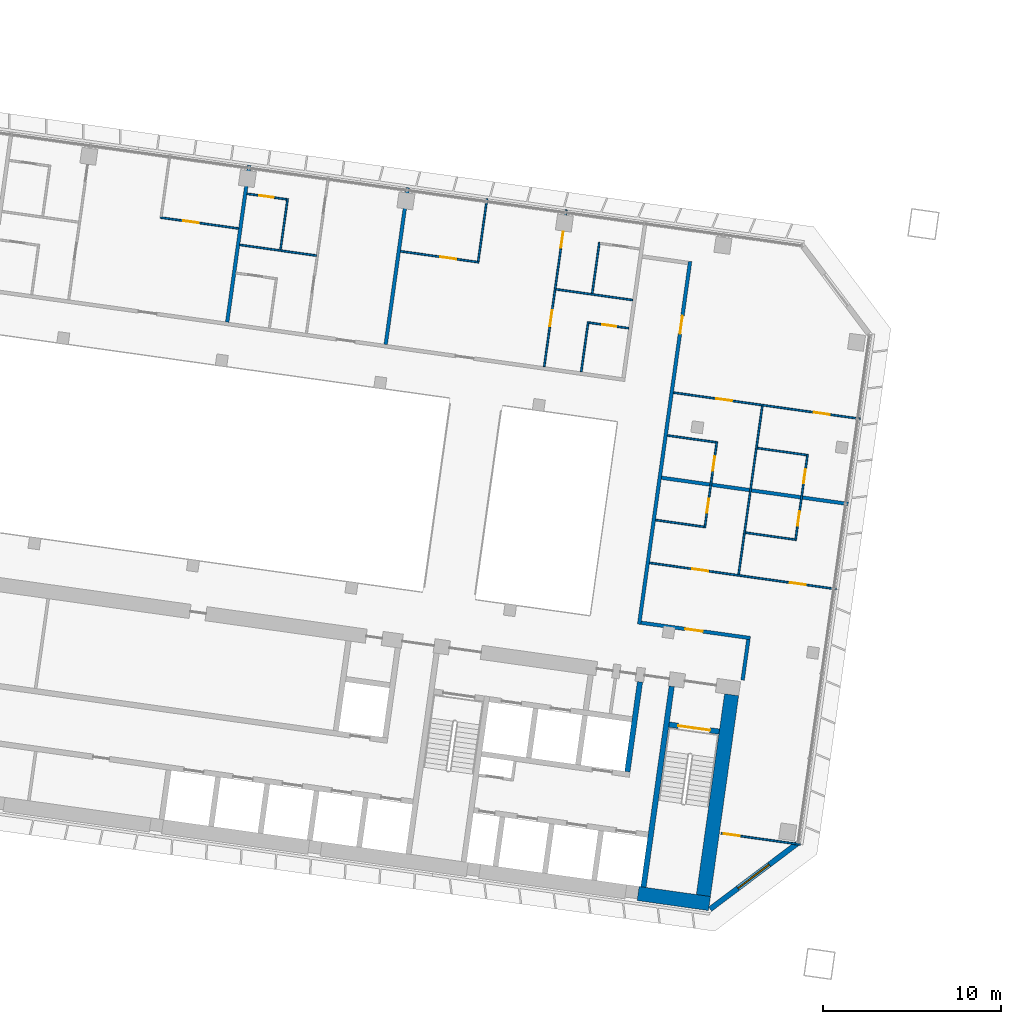
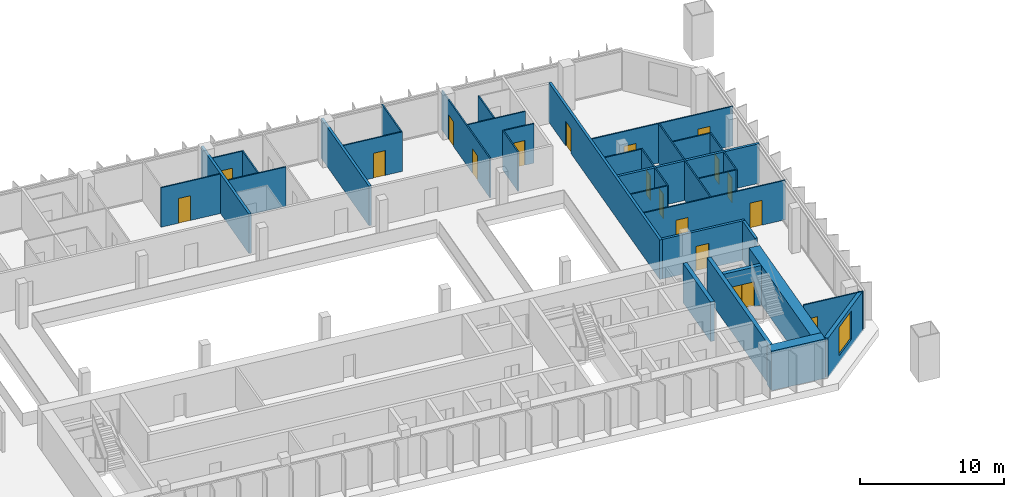
# One storey, part 17 of 27: 33 walls, 18 doors, 1 window, 19 openings.
"""IFC4 building model written with IfcOpenShell, lengths in metres."""

from ifc_helpers import new_model, si_unit, direction, frame, frame_2d, origin, place, context, subcontext, project, spatial, rectangle, extrude, material, layer, layer_set, type_object, element, fill, save


model = new_model("IFC4")

# Units and contexts
model_context = context("Model", 3, precision=1e-05, world=origin(), true_north=direction((0.0, 1.0)))
body_context = subcontext(model_context, "Body", "Model", "MODEL_VIEW")
ifc_project = project(units=[si_unit("LENGTHUNIT", "METRE"), si_unit("AREAUNIT", "SQUARE_METRE"), si_unit("VOLUMEUNIT", "CUBIC_METRE"), si_unit("PLANEANGLEUNIT", "RADIAN"), si_unit("MASSUNIT", "GRAM", prefix="KILO")], contexts=[model_context])

# Site, building, storey
site_placement = place(None, origin())
site = spatial("IfcSite", under=ifc_project, at=site_placement, CompositionType="ELEMENT")
building_placement = place(site_placement, origin())
building = spatial("IfcBuilding", under=site, at=building_placement, Name="Mirante Cascada Hotel Towers", CompositionType="ELEMENT")
storey_placement = place(building_placement, frame((0.0, 0.0, 117.7)))
storey = spatial("IfcBuildingStorey", under=building, at=storey_placement, Name="L26", CompositionType="ELEMENT", Elevation=117.7)

# Wall, opening, door
ifc_material_1 = material(Name="Fire-rated plasterboard on metal studs")
ifc_layer_1 = layer(ifc_material_1, 0.2)
ifc_layer_set_1 = layer_set([ifc_layer_1], Name="Compartment wall 200 EI 120")
wall_type_1 = type_object("IfcWallType", Name="Compartment wall 200 EI 120", PredefinedType="PARTITIONING", material=ifc_layer_set_1)
wall_1_placement = place(storey_placement, frame((-40.97, -3.8917, 0.0), z_axis=(0.0, 0.0, 1.0), x_axis=(0.9902695, -0.1391629, 0.0)))
wall_1 = element("IfcWall", 1, at=wall_1_placement, inside=storey, type_object=wall_type_1, Name="Wall 1-L26-02", PredefinedType="PARTITIONING", context=body_context, shape_type="SweptSolid", body=[
    extrude(rectangle(XDim=6.1999, YDim=0.2, at=frame_2d((3.1, 0.0))), origin(), (0.0, 0.0, 1.0), 3.35),
])
opening_1_placement = place(wall_1_placement, frame((2.5, 0.0, 0.0)))
opening_1 = element("IfcOpeningElement", 2, at=opening_1_placement, cuts=wall_1, Name="Opening D1-L26-02", PredefinedType="OPENING", context=body_context, shape_type="SweptSolid", body=[
    extrude(rectangle(XDim=1.0, YDim=2.1, at=frame_2d((0.5, 1.05))), frame((0.0, 0.1, 0.0), z_axis=(0.0, -1.0, 0.0), x_axis=(1.0, 0.0, 0.0)), (0.0, 0.0, 1.0), 0.2),
])
ifc_material_2 = material(Name="Fire-rated timber door leaf", Category="wood")
door_type_1 = type_object("IfcDoorType", Name="Entrance door DG1 1000x2100 EI 60", OperationType="SINGLE_SWING_LEFT", PredefinedType="DOOR", material=ifc_material_2)
door_1_placement = place(opening_1_placement, frame((1.0, 0.0, 0.0), z_axis=(0.0, 0.0, 1.0), x_axis=(-1.0, 0.0, 0.0)))
door_1 = element("IfcDoor", 3, at=door_1_placement, inside=storey, type_object=door_type_1, Name="Door D1-L26-02", OperationType="SINGLE_SWING_RIGHT", OverallHeight=2.1, OverallWidth=1.0, PredefinedType="DOOR", context=body_context, shape_type="SweptSolid", body=[
    extrude(rectangle(XDim=1.0, YDim=2.1, at=frame_2d((0.5, 1.05))), frame((0.0, 0.025, 0.0), z_axis=(0.0, -1.0, 0.0), x_axis=(1.0, 0.0, 0.0)), (0.0, 0.0, 1.0), 0.05),
])
fill(opening_1, door_1)

# Walls
wall_2_placement = place(storey_placement, frame((-39.8242, 4.2615, 0.0), z_axis=(0.0, 0.0, 1.0), x_axis=(0.9902686, -0.1391691, 0.0)))
element("IfcWall", 4, at=wall_2_placement, inside=storey, type_object=wall_type_1, Name="Wall 1-L26-08", PredefinedType="PARTITIONING", context=body_context, shape_type="SweptSolid", body=[
    extrude(rectangle(XDim=10.6001, YDim=0.2, at=frame_2d((5.3, 0.0))), origin(), (0.0, 0.0, 1.0), 3.35),
])
wall_3_placement = place(storey_placement, frame((-35.2634, -7.1173, 0.0), z_axis=(0.0, 0.0, 1.0), x_axis=(0.1391749, 0.9902678, 0.0)))
element("IfcWall", 5, at=wall_3_placement, inside=storey, type_object=wall_type_1, Name="Wall 1-L26-33", PredefinedType="PARTITIONING", context=body_context, shape_type="SweptSolid", body=[
    extrude(rectangle(XDim=2.3, YDim=0.2, at=frame_2d((1.15, 0.0))), origin(), (0.0, 0.0, 1.0), 3.35),
])

# Wall, opening, door
wall_4_placement = place(storey_placement, frame((-38.216, 16.4227, 0.0), z_axis=(0.0, 0.0, 1.0), x_axis=(-0.1391749, -0.9902678, 0.0)))
wall_4 = element("IfcWall", 6, at=wall_4_placement, inside=storey, type_object=wall_type_1, Name="Wall 1-L26-36", PredefinedType="PARTITIONING", context=body_context, shape_type="SweptSolid", body=[
    extrude(rectangle(XDim=20.6, YDim=0.2, at=frame_2d((10.3, 0.0))), origin(), (0.0, 0.0, 1.0), 3.35),
])
opening_2_placement = place(wall_4_placement, frame((3.1, 0.0, 0.0)))
opening_2 = element("IfcOpeningElement", 7, at=opening_2_placement, cuts=wall_4, Name="Opening D1-L26-27", PredefinedType="OPENING", context=body_context, shape_type="SweptSolid", body=[
    extrude(rectangle(XDim=1.0, YDim=2.1, at=frame_2d((0.5, 1.05))), frame((0.0, 0.1, 0.0), z_axis=(0.0, -1.0, 0.0), x_axis=(1.0, 0.0, 0.0)), (0.0, 0.0, 1.0), 0.2),
])
door_2_placement = place(opening_2_placement, origin())
door_2 = element("IfcDoor", 8, at=door_2_placement, inside=storey, type_object=door_type_1, Name="Door D1-L26-27", OperationType="SINGLE_SWING_LEFT", OverallHeight=2.1, OverallWidth=1.0, PredefinedType="DOOR", context=body_context, shape_type="SweptSolid", body=[
    extrude(rectangle(XDim=1.0, YDim=2.1, at=frame_2d((0.5, 1.05))), frame((0.0, 0.025, 0.0), z_axis=(0.0, -1.0, 0.0), x_axis=(1.0, 0.0, 0.0)), (0.0, 0.0, 1.0), 0.05),
])
fill(opening_2, door_2)

# Walls
for number, where, z_axis, x_axis, name in (
    (9, (-54.0929, 20.5728, 0.0), (0.0, 0.0, 1.0), (-0.1391794, -0.9902672, 0.0), "Wall 1-L26-42"),
    (10, (-63.0054, 21.8253, 0.0), (0.0, 0.0, 1.0), (-0.1391684, -0.9902687, 0.0), "Wall 1-L26-46"),
):
    element("IfcWall", number, at=place(storey_placement, frame(where, z_axis=z_axis, x_axis=x_axis)), inside=storey, type_object=wall_type_1, Name=name, PredefinedType="PARTITIONING", context=body_context, shape_type="SweptSolid", body=[
        extrude(rectangle(XDim=8.9, YDim=0.2, at=frame_2d((4.45, 0.0))), origin(), (0.0, 0.0, 1.0), 3.35),
    ])

# Wall, opening, door
ifc_material_3 = material(Name="Plasterboard on metal studs")
ifc_layer_2 = layer(ifc_material_3, 0.1)
ifc_layer_set_2 = layer_set([ifc_layer_2], Name="Partition 100")
wall_type_2 = type_object("IfcWallType", Name="Partition 100", PredefinedType="PARTITIONING", material=ifc_layer_set_2)
wall_5_placement = place(storey_placement, frame((-32.018, -16.3589, 0.0), z_axis=(0.0, 0.0, 1.0), x_axis=(-0.9902674, 0.1391779, 0.0)))
wall_5 = element("IfcWall", 11, at=wall_5_placement, inside=storey, type_object=wall_type_2, Name="Wall 1-L26-01", PredefinedType="PARTITIONING", context=body_context, shape_type="SweptSolid", body=[
    extrude(rectangle(XDim=4.5, YDim=0.1, at=frame_2d((2.25, 0.0))), origin(), (0.0, 0.0, 1.0), 3.35),
])
opening_3_placement = place(wall_5_placement, frame((3.45, 0.0, 0.0)))
opening_3 = element("IfcOpeningElement", 12, at=opening_3_placement, cuts=wall_5, Name="Opening D1-L26-01", PredefinedType="OPENING", context=body_context, shape_type="SweptSolid", body=[
    extrude(rectangle(XDim=0.9, YDim=2.1, at=frame_2d((0.45, 1.05))), frame((0.0, 0.05, 0.0), z_axis=(0.0, -1.0, 0.0), x_axis=(1.0, 0.0, 0.0)), (0.0, 0.0, 1.0), 0.1),
])
ifc_material_4 = material(Name="Timber door leaf", Category="wood")
door_type_2 = type_object("IfcDoorType", Name="Room door DG3 900x2100", OperationType="SINGLE_SWING_LEFT", PredefinedType="DOOR", material=ifc_material_4)
door_3_placement = place(opening_3_placement, frame((0.9, 0.0, 0.0), z_axis=(0.0, 0.0, 1.0), x_axis=(-1.0, 0.0, 0.0)))
door_3 = element("IfcDoor", 13, at=door_3_placement, inside=storey, type_object=door_type_2, Name="Door D1-L26-01", OperationType="SINGLE_SWING_RIGHT", OverallHeight=2.1, OverallWidth=0.9, PredefinedType="DOOR", context=body_context, shape_type="SweptSolid", body=[
    extrude(rectangle(XDim=0.9, YDim=2.1, at=frame_2d((0.45, 1.05))), frame((0.0, 0.025, 0.0), z_axis=(0.0, -1.0, 0.0), x_axis=(1.0, 0.0, 0.0)), (0.0, 0.0, 1.0), 0.05),
])
fill(opening_3, door_3)

# Wall, openings, doors
wall_6_placement = place(storey_placement, frame((-30.0, -2.0, 0.0), z_axis=(0.0, 0.0, 1.0), x_axis=(-0.9902684, 0.1391704, 0.0)))
wall_6 = element("IfcWall", 14, at=wall_6_placement, inside=storey, type_object=wall_type_2, Name="Wall 1-L26-03", PredefinedType="PARTITIONING", context=body_context, shape_type="SweptSolid", body=[
    extrude(rectangle(XDim=10.6, YDim=0.1, at=frame_2d((5.3, 0.0))), origin(), (0.0, 0.0, 1.0), 3.35),
])
opening_4_placement = place(wall_6_placement, frame((1.725, 0.0, 0.0)))
opening_4 = element("IfcOpeningElement", 15, at=opening_4_placement, cuts=wall_6, Name="Opening D1-L26-03", PredefinedType="OPENING", context=body_context, shape_type="SweptSolid", body=[
    extrude(rectangle(XDim=0.9, YDim=2.1, at=frame_2d((0.45, 1.05))), frame((0.0, 0.05, 0.0), z_axis=(0.0, -1.0, 0.0), x_axis=(1.0, 0.0, 0.0)), (0.0, 0.0, 1.0), 0.1),
])
opening_5_placement = place(wall_6_placement, frame((7.275, 0.0, 0.0)))
opening_5 = element("IfcOpeningElement", 16, at=opening_5_placement, cuts=wall_6, Name="Opening D1-L26-04", PredefinedType="OPENING", context=body_context, shape_type="SweptSolid", body=[
    extrude(rectangle(XDim=0.9, YDim=2.1, at=frame_2d((0.45, 1.05))), frame((0.0, 0.05, 0.0), z_axis=(0.0, -1.0, 0.0), x_axis=(1.0, 0.0, 0.0)), (0.0, 0.0, 1.0), 0.1),
])
door_4_placement = place(opening_4_placement, origin())
door_4 = element("IfcDoor", 17, at=door_4_placement, inside=storey, type_object=door_type_2, Name="Door D1-L26-03", OperationType="SINGLE_SWING_LEFT", OverallHeight=2.1, OverallWidth=0.9, PredefinedType="DOOR", context=body_context, shape_type="SweptSolid", body=[
    extrude(rectangle(XDim=0.9, YDim=2.1, at=frame_2d((0.45, 1.05))), frame((0.0, 0.025, 0.0), z_axis=(0.0, -1.0, 0.0), x_axis=(1.0, 0.0, 0.0)), (0.0, 0.0, 1.0), 0.05),
])
fill(opening_4, door_4)
door_5_placement = place(opening_5_placement, origin())
door_5 = element("IfcDoor", 18, at=door_5_placement, inside=storey, type_object=door_type_2, Name="Door D1-L26-04", OperationType="SINGLE_SWING_LEFT", OverallHeight=2.1, OverallWidth=0.9, PredefinedType="DOOR", context=body_context, shape_type="SweptSolid", body=[
    extrude(rectangle(XDim=0.9, YDim=2.1, at=frame_2d((0.45, 1.05))), frame((0.0, 0.025, 0.0), z_axis=(0.0, -1.0, 0.0), x_axis=(1.0, 0.0, 0.0)), (0.0, 0.0, 1.0), 0.05),
])
fill(opening_5, door_5)

# Walls
wall_7_placement = place(storey_placement, frame((-35.1078, 1.1751, 0.0), z_axis=(0.0, 0.0, 1.0), x_axis=(0.990267, -0.139181, 0.0)))
element("IfcWall", 19, at=wall_7_placement, inside=storey, type_object=wall_type_2, Name="Wall 1-L26-06", PredefinedType="PARTITIONING", context=body_context, shape_type="SweptSolid", body=[
    extrude(rectangle(XDim=2.8, YDim=0.1, at=frame_2d((1.4, 0.0))), origin(), (0.0, 0.0, 1.0), 3.35),
])
wall_8_placement = place(storey_placement, frame((-37.435, 1.5021, 0.0), z_axis=(0.0, 0.0, 1.0), x_axis=(-0.9902641, 0.1392013, 0.0)))
element("IfcWall", 20, at=wall_8_placement, inside=storey, type_object=wall_type_2, Name="Wall 1-L26-07", PredefinedType="PARTITIONING", context=body_context, shape_type="SweptSolid", body=[
    extrude(rectangle(XDim=2.75, YDim=0.1, at=frame_2d((1.375, 0.0))), origin(), (0.0, 0.0, 1.0), 3.35),
])
wall_9_placement = place(storey_placement, frame((-34.4398, 5.9284, 0.0), z_axis=(0.0, 0.0, 1.0), x_axis=(0.9902677, -0.139176, 0.0)))
element("IfcWall", 21, at=wall_9_placement, inside=storey, type_object=wall_type_2, Name="Wall 1-L26-10", PredefinedType="PARTITIONING", context=body_context, shape_type="SweptSolid", body=[
    extrude(rectangle(XDim=2.8001, YDim=0.1, at=frame_2d((1.4, 0.0))), origin(), (0.0, 0.0, 1.0), 3.35),
])
wall_10_placement = place(storey_placement, frame((-36.7669, 6.2554, 0.0), z_axis=(0.0, 0.0, 1.0), x_axis=(-0.9902698, 0.1391607, 0.0)))
element("IfcWall", 22, at=wall_10_placement, inside=storey, type_object=wall_type_2, Name="Wall 1-L26-11", PredefinedType="PARTITIONING", context=body_context, shape_type="SweptSolid", body=[
    extrude(rectangle(XDim=2.7501, YDim=0.1, at=frame_2d((1.3751, 0.0))), origin(), (0.0, 0.0, 1.0), 3.35),
])

# Wall, openings, doors
wall_11_placement = place(storey_placement, frame((-39.1515, 9.0479, 0.0), z_axis=(0.0, 0.0, 1.0), x_axis=(0.9902671, -0.1391797, 0.0)))
wall_11 = element("IfcWall", 23, at=wall_11_placement, inside=storey, type_object=wall_type_2, Name="Wall 1-L26-14", PredefinedType="PARTITIONING", context=body_context, shape_type="SweptSolid", body=[
    extrude(rectangle(XDim=10.6, YDim=0.1, at=frame_2d((5.3, 0.0))), origin(), (0.0, 0.0, 1.0), 3.35),
])
opening_6_placement = place(wall_11_placement, frame((7.975, 0.0, 0.0)))
opening_6 = element("IfcOpeningElement", 24, at=opening_6_placement, cuts=wall_11, Name="Opening D1-L26-05", PredefinedType="OPENING", context=body_context, shape_type="SweptSolid", body=[
    extrude(rectangle(XDim=0.9, YDim=2.1, at=frame_2d((0.45, 1.05))), frame((0.0, 0.05, 0.0), z_axis=(0.0, -1.0, 0.0), x_axis=(1.0, 0.0, 0.0)), (0.0, 0.0, 1.0), 0.1),
])
opening_7_placement = place(wall_11_placement, frame((2.425, 0.0, 0.0)))
opening_7 = element("IfcOpeningElement", 25, at=opening_7_placement, cuts=wall_11, Name="Opening D1-L26-06", PredefinedType="OPENING", context=body_context, shape_type="SweptSolid", body=[
    extrude(rectangle(XDim=0.9, YDim=2.1, at=frame_2d((0.45, 1.05))), frame((0.0, 0.05, 0.0), z_axis=(0.0, -1.0, 0.0), x_axis=(1.0, 0.0, 0.0)), (0.0, 0.0, 1.0), 0.1),
])
door_6_placement = place(opening_6_placement, origin())
door_6 = element("IfcDoor", 26, at=door_6_placement, inside=storey, type_object=door_type_2, Name="Door D1-L26-05", OperationType="SINGLE_SWING_LEFT", OverallHeight=2.1, OverallWidth=0.9, PredefinedType="DOOR", context=body_context, shape_type="SweptSolid", body=[
    extrude(rectangle(XDim=0.9, YDim=2.1, at=frame_2d((0.45, 1.05))), frame((0.0, 0.025, 0.0), z_axis=(0.0, -1.0, 0.0), x_axis=(1.0, 0.0, 0.0)), (0.0, 0.0, 1.0), 0.05),
])
fill(opening_6, door_6)
door_7_placement = place(opening_7_placement, origin())
door_7 = element("IfcDoor", 27, at=door_7_placement, inside=storey, type_object=door_type_2, Name="Door D1-L26-06", OperationType="SINGLE_SWING_LEFT", OverallHeight=2.1, OverallWidth=0.9, PredefinedType="DOOR", context=body_context, shape_type="SweptSolid", body=[
    extrude(rectangle(XDim=0.9, YDim=2.1, at=frame_2d((0.45, 1.05))), frame((0.0, 0.025, 0.0), z_axis=(0.0, -1.0, 0.0), x_axis=(1.0, 0.0, 0.0)), (0.0, 0.0, 1.0), 0.05),
])
fill(opening_7, door_7)

# Wall, opening, door
wall_12_placement = place(storey_placement, frame((-41.6723, 12.6672, 0.0), z_axis=(0.0, 0.0, 1.0), x_axis=(-0.9902643, 0.1391997, 0.0)))
wall_12 = element("IfcWall", 28, at=wall_12_placement, inside=storey, type_object=wall_type_2, Name="Wall 1-L26-17", PredefinedType="PARTITIONING", context=body_context, shape_type="SweptSolid", body=[
    extrude(rectangle(XDim=2.25, YDim=0.1, at=frame_2d((1.125, 0.0))), origin(), (0.0, 0.0, 1.0), 3.35),
])
opening_8_placement = place(wall_12_placement, frame((0.7, 0.0, 0.0)))
opening_8 = element("IfcOpeningElement", 29, at=opening_8_placement, cuts=wall_12, Name="Opening D1-L26-13", PredefinedType="OPENING", context=body_context, shape_type="SweptSolid", body=[
    extrude(rectangle(XDim=0.8, YDim=2.1, at=frame_2d((0.4, 1.05))), frame((0.0, 0.05, 0.0), z_axis=(0.0, -1.0, 0.0), x_axis=(1.0, 0.0, 0.0)), (0.0, 0.0, 1.0), 0.1),
])
ifc_material_5 = material(Name="Timber door leaf", Category="wood")
door_type_3 = type_object("IfcDoorType", Name="Bathroom door DG4 800x2100", OperationType="SINGLE_SWING_LEFT", PredefinedType="DOOR", material=ifc_material_5)
door_8_placement = place(opening_8_placement, origin())
door_8 = element("IfcDoor", 30, at=door_8_placement, inside=storey, type_object=door_type_3, Name="Door D1-L26-13", OperationType="SINGLE_SWING_LEFT", OverallHeight=2.1, OverallWidth=0.8, PredefinedType="DOOR", context=body_context, shape_type="SweptSolid", body=[
    extrude(rectangle(XDim=0.8, YDim=2.1, at=frame_2d((0.4, 1.05))), frame((0.0, 0.025, 0.0), z_axis=(0.0, -1.0, 0.0), x_axis=(1.0, 0.0, 0.0)), (0.0, 0.0, 1.0), 0.05),
])
fill(opening_8, door_8)

# Walls
for number, where, z_axis, x_axis, name in (
    (31, (-41.4496, 14.2516, 0.0), (0.0, 0.0, 1.0), (-0.9902683, 0.1391714, 0.0), "Wall 1-L26-21"),
    (32, (-63.5326, 17.3552, 0.0), (0.0, 0.0, 1.0), (0.9902683, -0.1391714, 0.0), "Wall 1-L26-22"),
):
    element("IfcWall", number, at=place(storey_placement, frame(where, z_axis=z_axis, x_axis=x_axis)), inside=storey, type_object=wall_type_2, Name=name, PredefinedType="PARTITIONING", context=body_context, shape_type="SweptSolid", body=[
        extrude(rectangle(XDim=4.35, YDim=0.1, at=frame_2d((2.175, 0.0))), origin(), (0.0, 0.0, 1.0), 3.35),
    ])

# Wall, opening, door
wall_13_placement = place(storey_placement, frame((-50.0883, 16.3746, 0.0), z_axis=(0.0, 0.0, 1.0), x_axis=(-0.9902683, 0.1391715, 0.0)))
wall_13 = element("IfcWall", 33, at=wall_13_placement, inside=storey, type_object=wall_type_2, Name="Wall 1-L26-25", PredefinedType="PARTITIONING", context=body_context, shape_type="SweptSolid", body=[
    extrude(rectangle(XDim=4.4499, YDim=0.1, at=frame_2d((2.225, 0.0))), origin(), (0.0, 0.0, 1.0), 3.35),
])
opening_9_placement = place(wall_13_placement, frame((1.3, 0.0, 0.0)))
opening_9 = element("IfcOpeningElement", 34, at=opening_9_placement, cuts=wall_13, Name="Opening D1-L26-18", PredefinedType="OPENING", context=body_context, shape_type="SweptSolid", body=[
    extrude(rectangle(XDim=0.9, YDim=2.1, at=frame_2d((0.45, 1.05))), frame((0.0, 0.05, 0.0), z_axis=(0.0, -1.0, 0.0), x_axis=(1.0, 0.0, 0.0)), (0.0, 0.0, 1.0), 0.1),
])
door_9_placement = place(opening_9_placement, origin())
door_9 = element("IfcDoor", 35, at=door_9_placement, inside=storey, type_object=door_type_2, Name="Door D1-L26-18", OperationType="SINGLE_SWING_LEFT", OverallHeight=2.1, OverallWidth=0.9, PredefinedType="DOOR", context=body_context, shape_type="SweptSolid", body=[
    extrude(rectangle(XDim=0.9, YDim=2.1, at=frame_2d((0.45, 1.05))), frame((0.0, 0.025, 0.0), z_axis=(0.0, -1.0, 0.0), x_axis=(1.0, 0.0, 0.0)), (0.0, 0.0, 1.0), 0.05),
])
fill(opening_9, door_9)

wall_14_placement = place(storey_placement, frame((-68.0121, 18.8936, 0.0), z_axis=(0.0, 0.0, 1.0), x_axis=(0.9902687, -0.1391684, 0.0)))
wall_14 = element("IfcWall", 36, at=wall_14_placement, inside=storey, type_object=wall_type_2, Name="Wall 1-L26-26", PredefinedType="PARTITIONING", context=body_context, shape_type="SweptSolid", body=[
    extrude(rectangle(XDim=4.45, YDim=0.1, at=frame_2d((2.225, 0.0))), origin(), (0.0, 0.0, 1.0), 3.35),
])
opening_10_placement = place(wall_14_placement, frame((1.3, 0.0, 0.0)))
opening_10 = element("IfcOpeningElement", 37, at=opening_10_placement, cuts=wall_14, Name="Opening D1-L26-19", PredefinedType="OPENING", context=body_context, shape_type="SweptSolid", body=[
    extrude(rectangle(XDim=0.9, YDim=2.1, at=frame_2d((0.45, 1.05))), frame((0.0, 0.05, 0.0), z_axis=(0.0, -1.0, 0.0), x_axis=(1.0, 0.0, 0.0)), (0.0, 0.0, 1.0), 0.1),
])
door_10_placement = place(opening_10_placement, frame((0.9, 0.0, 0.0), z_axis=(0.0, 0.0, 1.0), x_axis=(-1.0, 0.0, 0.0)))
door_10 = element("IfcDoor", 38, at=door_10_placement, inside=storey, type_object=door_type_2, Name="Door D1-L26-19", OperationType="SINGLE_SWING_RIGHT", OverallHeight=2.1, OverallWidth=0.9, PredefinedType="DOOR", context=body_context, shape_type="SweptSolid", body=[
    extrude(rectangle(XDim=0.9, YDim=2.1, at=frame_2d((0.45, 1.05))), frame((0.0, 0.025, 0.0), z_axis=(0.0, -1.0, 0.0), x_axis=(1.0, 0.0, 0.0)), (0.0, 0.0, 1.0), 0.05),
])
fill(opening_10, door_10)

wall_15_placement = place(storey_placement, frame((-63.129, 20.227, 0.0), z_axis=(0.0, 0.0, 1.0), x_axis=(0.9902643, -0.1391997, 0.0)))
wall_15 = element("IfcWall", 39, at=wall_15_placement, inside=storey, type_object=wall_type_2, Name="Wall 1-L26-30", PredefinedType="PARTITIONING", context=body_context, shape_type="SweptSolid", body=[
    extrude(rectangle(XDim=2.25, YDim=0.1, at=frame_2d((1.125, 0.0))), origin(), (0.0, 0.0, 1.0), 3.35),
])
opening_11_placement = place(wall_15_placement, frame((0.7, 0.0, 0.0)))
opening_11 = element("IfcOpeningElement", 40, at=opening_11_placement, cuts=wall_15, Name="Opening D1-L26-21", PredefinedType="OPENING", context=body_context, shape_type="SweptSolid", body=[
    extrude(rectangle(XDim=0.8, YDim=2.1, at=frame_2d((0.4, 1.05))), frame((0.0, 0.05, 0.0), z_axis=(0.0, -1.0, 0.0), x_axis=(1.0, 0.0, 0.0)), (0.0, 0.0, 1.0), 0.1),
])
door_11_placement = place(opening_11_placement, frame((0.8, 0.0, 0.0), z_axis=(0.0, 0.0, 1.0), x_axis=(-1.0, 0.0, 0.0)))
door_11 = element("IfcDoor", 41, at=door_11_placement, inside=storey, type_object=door_type_3, Name="Door D1-L26-21", OperationType="SINGLE_SWING_RIGHT", OverallHeight=2.1, OverallWidth=0.8, PredefinedType="DOOR", context=body_context, shape_type="SweptSolid", body=[
    extrude(rectangle(XDim=0.8, YDim=2.1, at=frame_2d((0.4, 1.05))), frame((0.0, 0.025, 0.0), z_axis=(0.0, -1.0, 0.0), x_axis=(1.0, 0.0, 0.0)), (0.0, 0.0, 1.0), 0.05),
])
fill(opening_11, door_11)

# Wall, openings, doors
wall_16_placement = place(storey_placement, frame((-31.6106, 5.5812, 0.0), z_axis=(0.0, 0.0, 1.0), x_axis=(-0.1391638, -0.9902694, 0.0)))
wall_16 = element("IfcWall", 42, at=wall_16_placement, inside=storey, type_object=wall_type_2, Name="Wall 1-L26-32", PredefinedType="PARTITIONING", context=body_context, shape_type="SweptSolid", body=[
    extrude(rectangle(XDim=4.9, YDim=0.1, at=frame_2d((2.45, 0.0))), origin(), (0.0, 0.0, 1.0), 3.35),
])
opening_12_placement = place(wall_16_placement, frame((3.25, 0.0, 0.0)))
opening_12 = element("IfcOpeningElement", 43, at=opening_12_placement, cuts=wall_16, Name="Opening D1-L26-23", PredefinedType="OPENING", context=body_context, shape_type="SweptSolid", body=[
    extrude(rectangle(XDim=0.8, YDim=2.1, at=frame_2d((0.4, 1.05))), frame((0.0, 0.05, 0.0), z_axis=(0.0, -1.0, 0.0), x_axis=(1.0, 0.0, 0.0)), (0.0, 0.0, 1.0), 0.1),
])
opening_13_placement = place(wall_16_placement, frame((0.85, 0.0, 0.0)))
opening_13 = element("IfcOpeningElement", 44, at=opening_13_placement, cuts=wall_16, Name="Opening D1-L26-24", PredefinedType="OPENING", context=body_context, shape_type="SweptSolid", body=[
    extrude(rectangle(XDim=0.8, YDim=2.1, at=frame_2d((0.4, 1.05))), frame((0.0, 0.05, 0.0), z_axis=(0.0, -1.0, 0.0), x_axis=(1.0, 0.0, 0.0)), (0.0, 0.0, 1.0), 0.1),
])
door_12_placement = place(opening_12_placement, frame((0.8, 0.0, 0.0), z_axis=(0.0, 0.0, 1.0), x_axis=(-1.0, 0.0, 0.0)))
door_12 = element("IfcDoor", 45, at=door_12_placement, inside=storey, type_object=door_type_3, Name="Door D1-L26-23", OperationType="SINGLE_SWING_RIGHT", OverallHeight=2.1, OverallWidth=0.8, PredefinedType="DOOR", context=body_context, shape_type="SweptSolid", body=[
    extrude(rectangle(XDim=0.8, YDim=2.1, at=frame_2d((0.4, 1.05))), frame((0.0, 0.025, 0.0), z_axis=(0.0, -1.0, 0.0), x_axis=(1.0, 0.0, 0.0)), (0.0, 0.0, 1.0), 0.05),
])
fill(opening_12, door_12)
door_13_placement = place(opening_13_placement, frame((0.8, 0.0, 0.0), z_axis=(0.0, 0.0, 1.0), x_axis=(-1.0, 0.0, 0.0)))
door_13 = element("IfcDoor", 46, at=door_13_placement, inside=storey, type_object=door_type_3, Name="Door D1-L26-24", OperationType="SINGLE_SWING_RIGHT", OverallHeight=2.1, OverallWidth=0.8, PredefinedType="DOOR", context=body_context, shape_type="SweptSolid", body=[
    extrude(rectangle(XDim=0.8, YDim=2.1, at=frame_2d((0.4, 1.05))), frame((0.0, 0.025, 0.0), z_axis=(0.0, -1.0, 0.0), x_axis=(1.0, 0.0, 0.0)), (0.0, 0.0, 1.0), 0.05),
])
fill(opening_13, door_13)

# Wall
wall_17_placement = place(storey_placement, frame((-34.1576, 8.2955, 0.0), z_axis=(0.0, 0.0, 1.0), x_axis=(-0.1391703, -0.9902685, 0.0)))
element("IfcWall", 47, at=wall_17_placement, inside=storey, type_object=wall_type_2, Name="Wall 1-L26-34", PredefinedType="PARTITIONING", context=body_context, shape_type="SweptSolid", body=[
    extrude(rectangle(XDim=9.5667, YDim=0.1, at=frame_2d((4.7834, 0.0))), origin(), (0.0, 0.0, 1.0), 3.35),
])

# Wall, openings, doors
wall_18_placement = place(storey_placement, frame((-37.3924, 1.4457, 0.0), z_axis=(0.0, 0.0, 1.0), x_axis=(0.1391638, 0.9902694, 0.0)))
wall_18 = element("IfcWall", 48, at=wall_18_placement, inside=storey, type_object=wall_type_2, Name="Wall 1-L26-35", PredefinedType="PARTITIONING", context=body_context, shape_type="SweptSolid", body=[
    extrude(rectangle(XDim=4.9, YDim=0.1, at=frame_2d((2.45, 0.0))), origin(), (0.0, 0.0, 1.0), 3.35),
])
opening_14_placement = place(wall_18_placement, frame((0.85, 0.0, 0.0)))
opening_14 = element("IfcOpeningElement", 49, at=opening_14_placement, cuts=wall_18, Name="Opening D1-L26-25", PredefinedType="OPENING", context=body_context, shape_type="SweptSolid", body=[
    extrude(rectangle(XDim=0.8, YDim=2.1, at=frame_2d((0.4, 1.05))), frame((0.0, 0.05, 0.0), z_axis=(0.0, -1.0, 0.0), x_axis=(1.0, 0.0, 0.0)), (0.0, 0.0, 1.0), 0.1),
])
opening_15_placement = place(wall_18_placement, frame((3.25, 0.0, 0.0)))
opening_15 = element("IfcOpeningElement", 50, at=opening_15_placement, cuts=wall_18, Name="Opening D1-L26-26", PredefinedType="OPENING", context=body_context, shape_type="SweptSolid", body=[
    extrude(rectangle(XDim=0.8, YDim=2.1, at=frame_2d((0.4, 1.05))), frame((0.0, 0.05, 0.0), z_axis=(0.0, -1.0, 0.0), x_axis=(1.0, 0.0, 0.0)), (0.0, 0.0, 1.0), 0.1),
])
door_14_placement = place(opening_14_placement, origin())
door_14 = element("IfcDoor", 51, at=door_14_placement, inside=storey, type_object=door_type_3, Name="Door D1-L26-25", OperationType="SINGLE_SWING_LEFT", OverallHeight=2.1, OverallWidth=0.8, PredefinedType="DOOR", context=body_context, shape_type="SweptSolid", body=[
    extrude(rectangle(XDim=0.8, YDim=2.1, at=frame_2d((0.4, 1.05))), frame((0.0, 0.025, 0.0), z_axis=(0.0, -1.0, 0.0), x_axis=(1.0, 0.0, 0.0)), (0.0, 0.0, 1.0), 0.05),
])
fill(opening_14, door_14)
door_15_placement = place(opening_15_placement, origin())
door_15 = element("IfcDoor", 52, at=door_15_placement, inside=storey, type_object=door_type_3, Name="Door D1-L26-26", OperationType="SINGLE_SWING_LEFT", OverallHeight=2.1, OverallWidth=0.8, PredefinedType="DOOR", context=body_context, shape_type="SweptSolid", body=[
    extrude(rectangle(XDim=0.8, YDim=2.1, at=frame_2d((0.4, 1.05))), frame((0.0, 0.025, 0.0), z_axis=(0.0, -1.0, 0.0), x_axis=(1.0, 0.0, 0.0)), (0.0, 0.0, 1.0), 0.05),
])
fill(opening_15, door_15)

# Walls
wall_19_placement = place(storey_placement, frame((-43.943, 13.0368, 0.0), z_axis=(0.0, 0.0, 1.0), x_axis=(-0.1391613, -0.9902697, 0.0)))
element("IfcWall", 53, at=wall_19_placement, inside=storey, type_object=wall_type_2, Name="Wall 1-L26-38", PredefinedType="PARTITIONING", context=body_context, shape_type="SweptSolid", body=[
    extrude(rectangle(XDim=2.8499, YDim=0.1, at=frame_2d((1.425, 0.0))), origin(), (0.0, 0.0, 1.0), 3.35),
])
wall_20_placement = place(storey_placement, frame((-43.7203, 14.6213, 0.0), z_axis=(0.0, 0.0, 1.0), x_axis=(0.1391761, 0.9902676, 0.0)))
element("IfcWall", 54, at=wall_20_placement, inside=storey, type_object=wall_type_2, Name="Wall 1-L26-39", PredefinedType="PARTITIONING", context=body_context, shape_type="SweptSolid", body=[
    extrude(rectangle(XDim=2.8999, YDim=0.1, at=frame_2d((1.45, 0.0))), origin(), (0.0, 0.0, 1.0), 3.35),
])

# Wall, openings, doors
wall_21_placement = place(storey_placement, frame((-45.1805, 19.3202, 0.0), z_axis=(0.0, 0.0, 1.0), x_axis=(-0.1391794, -0.9902672, 0.0)))
wall_21 = element("IfcWall", 55, at=wall_21_placement, inside=storey, type_object=wall_type_2, Name="Wall 1-L26-40", PredefinedType="PARTITIONING", context=body_context, shape_type="SweptSolid", body=[
    extrude(rectangle(XDim=8.9, YDim=0.1, at=frame_2d((4.45, 0.0))), origin(), (0.0, 0.0, 1.0), 3.35),
])
opening_16_placement = place(wall_21_placement, frame((5.7, 0.0, 0.0)))
opening_16 = element("IfcOpeningElement", 56, at=opening_16_placement, cuts=wall_21, Name="Opening D1-L26-28", PredefinedType="OPENING", context=body_context, shape_type="SweptSolid", body=[
    extrude(rectangle(XDim=0.9, YDim=2.1, at=frame_2d((0.45, 1.05))), frame((0.0, 0.05, 0.0), z_axis=(0.0, -1.0, 0.0), x_axis=(1.0, 0.0, 0.0)), (0.0, 0.0, 1.0), 0.1),
])
opening_17_placement = place(wall_21_placement, frame((1.25, 0.0, 0.0)))
opening_17 = element("IfcOpeningElement", 57, at=opening_17_placement, cuts=wall_21, Name="Opening D1-L26-29", PredefinedType="OPENING", context=body_context, shape_type="SweptSolid", body=[
    extrude(rectangle(XDim=0.9, YDim=2.1, at=frame_2d((0.45, 1.05))), frame((0.0, 0.05, 0.0), z_axis=(0.0, -1.0, 0.0), x_axis=(1.0, 0.0, 0.0)), (0.0, 0.0, 1.0), 0.1),
])
door_16_placement = place(opening_16_placement, frame((0.9, 0.0, 0.0), z_axis=(0.0, 0.0, 1.0), x_axis=(-1.0, 0.0, 0.0)))
door_16 = element("IfcDoor", 58, at=door_16_placement, inside=storey, type_object=door_type_2, Name="Door D1-L26-28", OperationType="SINGLE_SWING_RIGHT", OverallHeight=2.1, OverallWidth=0.9, PredefinedType="DOOR", context=body_context, shape_type="SweptSolid", body=[
    extrude(rectangle(XDim=0.9, YDim=2.1, at=frame_2d((0.45, 1.05))), frame((0.0, 0.025, 0.0), z_axis=(0.0, -1.0, 0.0), x_axis=(1.0, 0.0, 0.0)), (0.0, 0.0, 1.0), 0.05),
])
fill(opening_16, door_16)
door_17_placement = place(opening_17_placement, frame((0.9, 0.0, 0.0), z_axis=(0.0, 0.0, 1.0), x_axis=(-1.0, 0.0, 0.0)))
door_17 = element("IfcDoor", 59, at=door_17_placement, inside=storey, type_object=door_type_2, Name="Door D1-L26-29", OperationType="SINGLE_SWING_RIGHT", OverallHeight=2.1, OverallWidth=0.9, PredefinedType="DOOR", context=body_context, shape_type="SweptSolid", body=[
    extrude(rectangle(XDim=0.9, YDim=2.1, at=frame_2d((0.45, 1.05))), frame((0.0, 0.025, 0.0), z_axis=(0.0, -1.0, 0.0), x_axis=(1.0, 0.0, 0.0)), (0.0, 0.0, 1.0), 0.05),
])
fill(opening_17, door_17)

# Walls
wall_22_placement = place(storey_placement, frame((-50.1308, 16.431, 0.0), z_axis=(0.0, 0.0, 1.0), x_axis=(0.139181, 0.990267, 0.0)))
element("IfcWall", 60, at=wall_22_placement, inside=storey, type_object=wall_type_2, Name="Wall 1-L26-41", PredefinedType="PARTITIONING", context=body_context, shape_type="SweptSolid", body=[
    extrude(rectangle(XDim=3.5501, YDim=0.1, at=frame_2d((1.775, 0.0))), origin(), (0.0, 0.0, 1.0), 3.35),
])
wall_23_placement = place(storey_placement, frame((-61.248, 17.0846, 0.0), z_axis=(0.0, 0.0, 1.0), x_axis=(0.1391714, 0.9902683, 0.0)))
element("IfcWall", 61, at=wall_23_placement, inside=storey, type_object=wall_type_2, Name="Wall 1-L26-45", PredefinedType="PARTITIONING", context=body_context, shape_type="SweptSolid", body=[
    extrude(rectangle(XDim=2.9, YDim=0.1, at=frame_2d((1.45, 0.0))), origin(), (0.0, 0.0, 1.0), 3.35),
])

# Wall, opening, window
ifc_material_6 = material(Name="Precast concrete C40/50", Category="concrete")
ifc_layer_3 = layer(ifc_material_6, 0.3)
ifc_layer_set_3 = layer_set([ifc_layer_3], Name="Precast concrete C40/50 cladding wall 300")
wall_type_3 = type_object("IfcWallType", Name="Precast concrete C40/50 cladding wall 300", PredefinedType="STANDARD", material=ifc_layer_set_3)
wall_24_placement = place(storey_placement, frame((-32.2074, -16.3138, 0.0), z_axis=(0.0, 0.0, 1.0), x_axis=(-0.7986362, -0.6018141, 0.0)))
wall_24 = element("IfcWall", 62, at=wall_24_placement, inside=storey, type_object=wall_type_3, Name="Corner cladding wall T1 L26 inner rear", PredefinedType="STANDARD", context=body_context, shape_type="SweptSolid", body=[
    extrude(rectangle(XDim=6.1157, YDim=0.3, at=frame_2d((3.0578, 0.0))), origin(), (0.0, 0.0, 1.0), 3.35),
])
opening_18_placement = place(wall_24_placement, frame((1.9578, 0.0, 0.6)))
opening_18 = element("IfcOpeningElement", 63, at=opening_18_placement, cuts=wall_24, Name="Opening W1-26-06", PredefinedType="OPENING", context=body_context, shape_type="SweptSolid", body=[
    extrude(rectangle(XDim=2.2, YDim=2.4, at=frame_2d((1.1, 1.2))), frame((0.0, 0.15, 0.0), z_axis=(0.0, -1.0, 0.0), x_axis=(1.0, 0.0, 0.0)), (0.0, 0.0, 1.0), 0.3),
])
ifc_material_7 = material(Name="Aluminium frame with clear double glazing", Category="aluminium")
window_type = type_object("IfcWindowType", Name="Corner suite window 2200x2400", PartitioningType="DOUBLE_PANEL_VERTICAL", PredefinedType="WINDOW", material=ifc_material_7)
window_placement = place(opening_18_placement, origin())
window = element("IfcWindow", 64, at=window_placement, inside=storey, type_object=window_type, Name="Window W1-26-06", OverallHeight=2.4, OverallWidth=2.2, PartitioningType="SINGLE_PANEL", PredefinedType="WINDOW", context=body_context, shape_type="SweptSolid", body=[
    extrude(rectangle(XDim=2.2, YDim=2.4, at=frame_2d((1.1, 1.2))), frame((0.0, 0.03, 0.0), z_axis=(0.0, -1.0, 0.0), x_axis=(1.0, 0.0, 0.0)), (0.0, 0.0, 1.0), 0.06),
])
fill(opening_18, window)

# Wall
ifc_material_8 = material(Name="Concrete C50/60", Category="concrete")
ifc_layer_4 = layer(ifc_material_8, 0.3)
ifc_layer_set_4 = layer_set([ifc_layer_4], Name="RC core wall 300 C50/60")
wall_type_4 = type_object("IfcWallType", Name="RC core wall 300 C50/60", PredefinedType="SHEAR", material=ifc_layer_set_4)
wall_25_placement = place(storey_placement, frame((-40.8373, -18.7548, 0.0), z_axis=(0.0, 0.0, 1.0), x_axis=(0.1391749, 0.9902678, 0.0)))
element("IfcWall", 65, at=wall_25_placement, inside=storey, type_object=wall_type_4, Name="Core wall T1:L26:5", PredefinedType="SHEAR", context=body_context, shape_type="SweptSolid", body=[
    extrude(rectangle(XDim=11.4, YDim=0.3, at=frame_2d((5.7, 0.0))), origin(), (0.0, 0.0, 1.0), 3.35),
])

# Wall, opening, door
wall_26_placement = place(storey_placement, frame((-36.5791, -10.0123, 0.0), z_axis=(0.0, 0.0, 1.0), x_axis=(-0.9902704, 0.1391564, 0.0)))
wall_26 = element("IfcWall", 66, at=wall_26_placement, inside=storey, type_object=wall_type_4, Name="Core wall T1:L26:9", PredefinedType="SHEAR", context=body_context, shape_type="SweptSolid", body=[
    extrude(rectangle(XDim=2.85, YDim=0.3, at=frame_2d((1.425, 0.0))), origin(), (0.0, 0.0, 1.0), 3.35),
])
opening_19_placement = place(wall_26_placement, frame((0.525, 0.0, 0.0)))
opening_19 = element("IfcOpeningElement", 67, at=opening_19_placement, cuts=wall_26, Name="Opening D1-26-C13", PredefinedType="OPENING", context=body_context, shape_type="SweptSolid", body=[
    extrude(rectangle(XDim=1.8, YDim=2.1, at=frame_2d((0.9, 1.05))), frame((0.0, 0.15, 0.0), z_axis=(0.0, -1.0, 0.0), x_axis=(1.0, 0.0, 0.0)), (0.0, 0.0, 1.0), 0.3),
])
ifc_material_9 = material(Name="Hollow metal fire door leaf")
door_type_4 = type_object("IfcDoorType", Name="Double fire door 1800x2100 FD60", OperationType="DOUBLE_DOOR_SINGLE_SWING", PredefinedType="DOOR", material=ifc_material_9)
door_18_placement = place(opening_19_placement, origin())
door_18 = element("IfcDoor", 68, at=door_18_placement, inside=storey, type_object=door_type_4, Name="Stair door T1 L26 13", OperationType="DOUBLE_DOOR_SINGLE_SWING", OverallHeight=2.1, OverallWidth=1.8, PredefinedType="DOOR", context=body_context, shape_type="SweptSolid", body=[
    extrude(rectangle(XDim=0.895, YDim=2.1, at=frame_2d((0.4475, 1.05))), frame((0.0, 0.025, 0.0), z_axis=(0.0, -1.0, 0.0), x_axis=(1.0, 0.0, 0.0)), (0.0, 0.0, 1.0), 0.05),
    extrude(rectangle(XDim=0.895, YDim=2.1, at=frame_2d((1.3525, 1.05))), frame((0.0, 0.025, 0.0), z_axis=(0.0, -1.0, 0.0), x_axis=(1.0, 0.0, 0.0)), (0.0, 0.0, 1.0), 0.05),
])
fill(opening_19, door_18)

# Walls
wall_27_placement = place(storey_placement, frame((-41.743, -12.2656, 0.0), z_axis=(0.0, 0.0, 1.0), x_axis=(0.1391755, 0.9902677, 0.0)))
element("IfcWall", 69, at=wall_27_placement, inside=storey, type_object=wall_type_4, Name="Core wall T1:L26:20", PredefinedType="SHEAR", context=body_context, shape_type="SweptSolid", body=[
    extrude(rectangle(XDim=5.1, YDim=0.3, at=frame_2d((2.55, 0.0))), origin(), (0.0, 0.0, 1.0), 3.35),
])
ifc_material_10 = material(Name="Concrete C50/60", Category="concrete")
ifc_layer_5 = layer(ifc_material_10, 0.8)
ifc_layer_set_5 = layer_set([ifc_layer_5], Name="RC core wall 800 C50/60")
wall_type_5 = type_object("IfcWallType", Name="RC core wall 800 C50/60", PredefinedType="SHEAR", material=ifc_layer_set_5)
wall_28_placement = place(storey_placement, frame((-37.1299, -19.6798, 0.0), z_axis=(0.0, 0.0, 1.0), x_axis=(-0.9902665, 0.1391845, 0.0)))
element("IfcWall", 70, at=wall_28_placement, inside=storey, type_object=wall_type_5, Name="Core wall T1:L26:1.1", PredefinedType="SHEAR", context=body_context, shape_type="SweptSolid", body=[
    extrude(rectangle(XDim=4.05, YDim=0.8, at=frame_2d((2.025, 0.0))), origin(), (0.0, 0.0, 1.0), 3.35),
])
wall_29_placement = place(storey_placement, frame((-37.4704, -19.228, 0.0), z_axis=(0.0, 0.0, 1.0), x_axis=(0.1391749, 0.9902678, 0.0)))
element("IfcWall", 71, at=wall_29_placement, inside=storey, type_object=wall_type_5, Name="Core wall T1:L26:3", PredefinedType="SHEAR", context=body_context, shape_type="SweptSolid", body=[
    extrude(rectangle(XDim=11.4, YDim=0.8, at=frame_2d((5.7, 0.0))), origin(), (0.0, 0.0, 1.0), 3.35),
])

save(model, "model.ifc")
